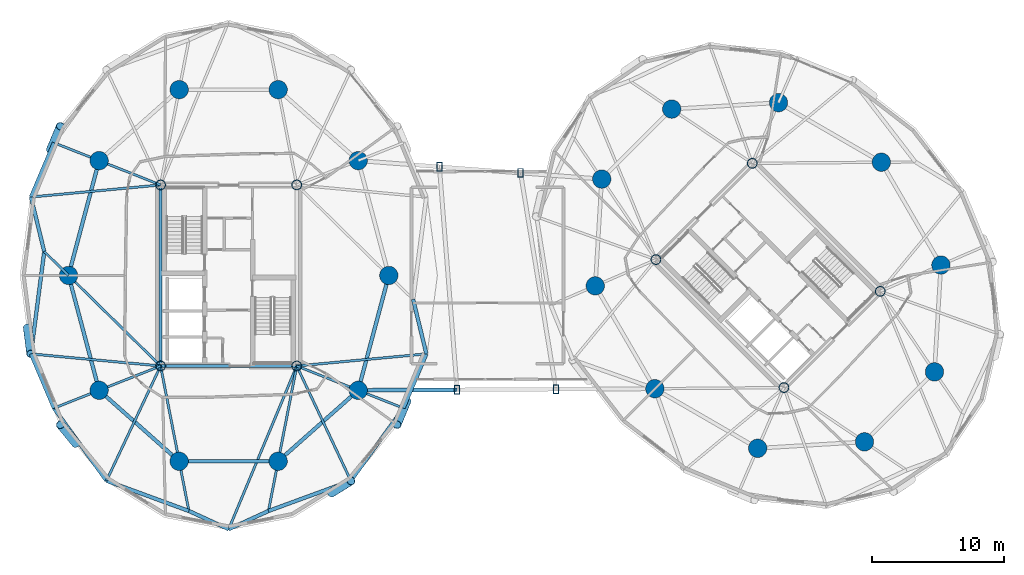
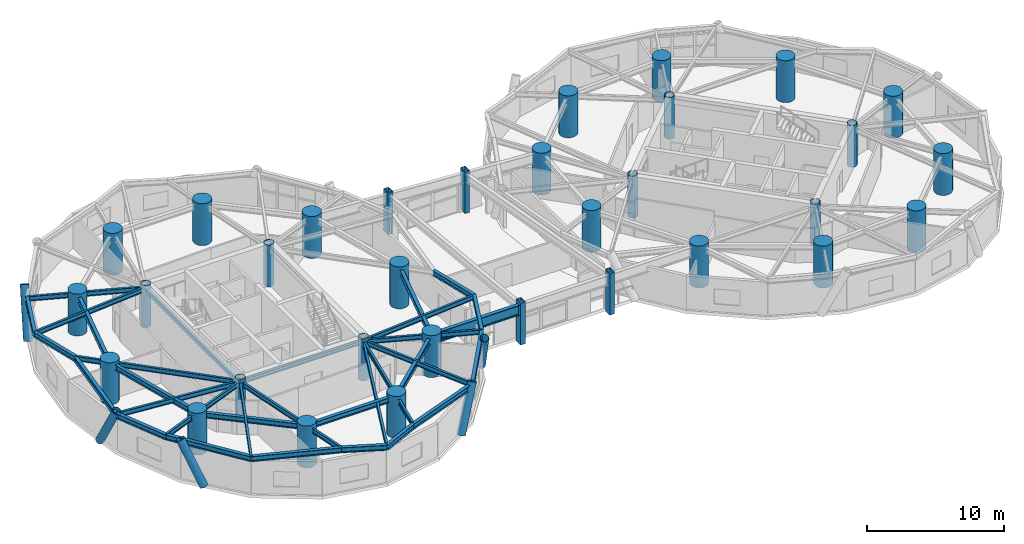
# One storey, part 1 of 19: 34 beams, 32 columns, 5 members.
"""IFC4 building model written with IfcOpenShell, lengths in metres."""

from ifc_helpers import new_model, si_unit, direction, frame, origin, origin_2d, place, context, subcontext, project, spatial, hollow_rectangle, circle, hollow_circle, i_section, extrude, material, material_profile, profile_set, type_object, element, save


model = new_model("IFC4")

# Units and contexts
model_context = context("Model", 3, precision=1e-05, world=origin(), true_north=direction((0.0, 1.0)))
body_context = subcontext(model_context, "Body", "Model", "MODEL_VIEW")
ifc_project = project(units=[si_unit("LENGTHUNIT", "METRE"), si_unit("AREAUNIT", "SQUARE_METRE"), si_unit("VOLUMEUNIT", "CUBIC_METRE"), si_unit("PLANEANGLEUNIT", "RADIAN"), si_unit("MASSUNIT", "GRAM", prefix="KILO")], contexts=[model_context])

# Site, building, storey
site_placement = place(None, origin())
site = spatial("IfcSite", under=ifc_project, at=site_placement, CompositionType="ELEMENT")
building_placement = place(site_placement, origin())
building = spatial("IfcBuilding", under=site, at=building_placement, Name="Cununo Teusaquillo Station Towers", CompositionType="ELEMENT")
storey_placement = place(building_placement, frame((0.0, 0.0, 136.60009765625)))
storey = spatial("IfcBuildingStorey", under=building, at=storey_placement, Name="L43", CompositionType="ELEMENT", Elevation=136.60009765625)

# Columns
ifc_material_1 = material(Name="Steel ASTM A572 Grade 50", Category="steel")
ifc_material_profile_1 = material_profile(ifc_material_1, hollow_rectangle(XDim=0.39990234375, YDim=0.64990234375, WallThickness=0.02490234375, at=origin_2d()), Name="RHS 650x400x25")
ifc_profile_set_1 = profile_set([ifc_material_profile_1], Name="Steel ASTM A572 Grade 50")
column_type_1 = type_object("IfcColumnType", Name="COL-BRG-POST", PredefinedType="COLUMN", material=ifc_profile_set_1)
for number, where, z_axis, x_axis, name in (
    (1, (33.862548828125, 15.81201171875, 0.0), (0.0, 0.0, 1.0), (1.0, 0.0, 0.0), "L43 Mid-Bridge Vierendeel Post S1"),
    (2, (41.377685546875, 15.8525390625, 0.0), (0.0, 0.0, 1.0), (1.0, 0.0, 0.0), "L43 Mid-Bridge Vierendeel Post S2"),
    (3, (32.51611328125, 32.761474609375, 0.0), (0.0, 0.0, 1.0), (1.0, 0.0, 0.0), "L43 Mid-Bridge Vierendeel Post N1"),
    (4, (38.684814453125, 32.294189453125, 0.0), (0.0, 0.0, 1.0), (1.0, 0.0, 0.0), "L43 Mid-Bridge Vierendeel Post N2"),
):
    element("IfcColumn", number, at=place(storey_placement, frame(where, z_axis=z_axis, x_axis=x_axis)), inside=storey, type_object=column_type_1, Name=name, PredefinedType="COLUMN", context=body_context, shape_type="SweptSolid", body=[
        extrude(hollow_rectangle(XDim=0.39990234375, YDim=0.64990234375, WallThickness=0.02490234375, at=origin_2d()), origin(), (0.0, 0.0, 1.0), 3.719970703125),
    ])
ifc_material_2 = material(Name="Steel EN 10025-2 S355J2", Category="steel")
ifc_material_profile_2 = material_profile(ifc_material_2, hollow_circle(Radius=0.3798828125, WallThickness=0.031982421875, at=origin_2d()), Name="CHS 760x32")
ifc_profile_set_2 = profile_set([ifc_material_profile_2], Name="Steel EN 10025-2 S355J2")
column_type_2 = type_object("IfcColumnType", Name="COL-CORE-Z2", PredefinedType="COLUMN", material=ifc_profile_set_2)
for number, where, z_axis, x_axis, name in (
    (5, (11.324951171875, 17.6201171875, 0.0), (0.0, 0.0, 1.0), (1.0, 0.0, 0.0), "L43 Tower A Core Column 1"),
    (6, (11.324951171875, 31.3798828125, 0.0), (0.0, 0.0, 1.0), (1.0, 0.0, 0.0), "L43 Tower A Core Column 2"),
    (7, (21.675048828125, 17.6201171875, 0.0), (0.0, 0.0, 1.0), (1.0, 0.0, 0.0), "L43 Tower A Core Column 3"),
    (8, (21.675048828125, 31.3798828125, 0.0), (0.0, 0.0, 1.0), (1.0, 0.0, 0.0), "L43 Tower A Core Column 4"),
    (9, (58.70556640625, 15.975830078125, 0.0), (0.0, 0.0, 1.0), (0.707106781187, 0.707106781187, 0.0), "L43 Tower B Core Column 1"),
    (10, (48.975830078125, 25.70556640625, 0.0), (0.0, 0.0, 1.0), (0.707106781187, 0.707106781187, 0.0), "L43 Tower B Core Column 2"),
    (11, (66.024169921875, 23.29443359375, 0.0), (0.0, 0.0, 1.0), (0.707106781187, 0.707106781187, 0.0), "L43 Tower B Core Column 3"),
    (12, (56.29443359375, 33.024169921875, 0.0), (0.0, 0.0, 1.0), (0.707106781187, 0.707106781187, 0.0), "L43 Tower B Core Column 4"),
):
    element("IfcColumn", number, at=place(storey_placement, frame(where, z_axis=z_axis, x_axis=x_axis)), inside=storey, type_object=column_type_2, Name=name, PredefinedType="COLUMN", context=body_context, shape_type="SweptSolid", body=[
        extrude(hollow_circle(Radius=0.3798828125, WallThickness=0.031982421875, at=origin_2d()), origin(), (0.0, 0.0, 1.0), 3.719970703125),
    ])
ifc_material_3 = material(Name="Concrete C60/75", Category="concrete")
ifc_material_profile_3 = material_profile(ifc_material_3, circle(Radius=0.699951171875, at=origin_2d()), Name="RC-CIRC-1400")
ifc_profile_set_3 = profile_set([ifc_material_profile_3], Name="Concrete C60/75")
column_type_3 = type_object("IfcColumnType", Name="COL-MEGA-Z2", PredefinedType="USERDEFINED", material=ifc_profile_set_3)
for number, where, z_axis, x_axis, name in (
    (13, (28.672119140625, 24.5, 0.0), (0.0, 0.0, 1.0), (1.0, 0.0, 0.0), "L43 Tower A Perimeter Column V00"),
    (14, (26.347412109375, 33.228515625, 0.0), (0.0, 0.0, 1.0), (1.0, 0.0, 0.0), "L43 Tower A Perimeter Column V02"),
    (15, (20.261474609375, 38.623291015625, 0.0), (0.0, 0.0, 1.0), (1.0, 0.0, 0.0), "L43 Tower A Perimeter Column V04"),
    (16, (12.738525390625, 38.623291015625, 0.0), (0.0, 0.0, 1.0), (1.0, 0.0, 0.0), "L43 Tower A Perimeter Column V06"),
    (17, (6.652587890625, 33.228515625, 0.0), (0.0, 0.0, 1.0), (1.0, 0.0, 0.0), "L43 Tower A Perimeter Column V08"),
    (18, (4.327880859375, 24.5, 0.0), (0.0, 0.0, 1.0), (1.0, 0.0, 0.0), "L43 Tower A Perimeter Column V10"),
    (19, (6.652587890625, 15.771484375, 0.0), (0.0, 0.0, 1.0), (1.0, 0.0, 0.0), "L43 Tower A Perimeter Column V12"),
    (20, (12.738525390625, 10.376708984375, 0.0), (0.0, 0.0, 1.0), (1.0, 0.0, 0.0), "L43 Tower A Perimeter Column V14"),
    (21, (20.261474609375, 10.376708984375, 0.0), (0.0, 0.0, 1.0), (1.0, 0.0, 0.0), "L43 Tower A Perimeter Column V16"),
    (22, (26.347412109375, 15.771484375, 0.0), (0.0, 0.0, 1.0), (1.0, 0.0, 0.0), "L43 Tower A Perimeter Column V18"),
    (23, (66.10693359375, 33.10693359375, 0.0), (0.0, 0.0, 1.0), (1.0, 0.0, 0.0), "L43 Tower B Perimeter Column V00"),
    (24, (58.291015625, 37.63525390625, 0.0), (0.0, 0.0, 1.0), (1.0, 0.0, 0.0), "L43 Tower B Perimeter Column V02"),
    (25, (50.173095703125, 37.146240234375, 0.0), (0.0, 0.0, 1.0), (1.0, 0.0, 0.0), "L43 Tower B Perimeter Column V04"),
    (26, (44.853759765625, 31.826904296875, 0.0), (0.0, 0.0, 1.0), (1.0, 0.0, 0.0), "L43 Tower B Perimeter Column V06"),
    (27, (44.36474609375, 23.708984375, 0.0), (0.0, 0.0, 1.0), (1.0, 0.0, 0.0), "L43 Tower B Perimeter Column V08"),
    (28, (48.89306640625, 15.89306640625, 0.0), (0.0, 0.0, 1.0), (1.0, 0.0, 0.0), "L43 Tower B Perimeter Column V10"),
    (29, (56.708984375, 11.36474609375, 0.0), (0.0, 0.0, 1.0), (1.0, 0.0, 0.0), "L43 Tower B Perimeter Column V12"),
    (30, (64.826904296875, 11.853759765625, 0.0), (0.0, 0.0, 1.0), (1.0, 0.0, 0.0), "L43 Tower B Perimeter Column V14"),
    (31, (70.146240234375, 17.173095703125, 0.0), (0.0, 0.0, 1.0), (1.0, 0.0, 0.0), "L43 Tower B Perimeter Column V16"),
    (32, (70.63525390625, 25.291015625, 0.0), (0.0, 0.0, 1.0), (1.0, 0.0, 0.0), "L43 Tower B Perimeter Column V18"),
):
    element("IfcColumn", number, at=place(storey_placement, frame(where, z_axis=z_axis, x_axis=x_axis)), inside=storey, type_object=column_type_3, Name=name, ObjectType="MEGA COLUMN", PredefinedType="USERDEFINED", context=body_context, shape_type="SweptSolid", body=[
        extrude(circle(Radius=0.699951171875, at=origin_2d()), origin(), (0.0, 0.0, 1.0), 3.719970703125),
    ])

# Beams
ifc_material_4 = material(Name="Steel EN 10025-2 S355J2", Category="steel")
ifc_material_profile_4 = material_profile(ifc_material_4, i_section(OverallWidth=0.300048828125, OverallDepth=0.89990234375, WebThickness=0.0185546875, FlangeThickness=0.034912109375, FilletRadius=0.027099609375, at=origin_2d()), Name="HEB 900")
ifc_profile_set_4 = profile_set([ifc_material_profile_4], Name="Steel EN 10025-2 S355J2")
beam_type_1 = type_object("IfcBeamType", Name="BM-BRG-CH2", PredefinedType="BEAM", material=ifc_profile_set_4)
beam_1_placement = place(storey_placement, frame((26.347412109375, 15.771484375, 2.989990234375), z_axis=(0.999985459376, 0.00539268359, 0.0), x_axis=(-0.00539268359, 0.999985459376, 0.0)))
element("IfcBeam", 33, at=beam_1_placement, inside=storey, type_object=beam_type_1, Name="L43 Mid-Bridge Chord S1", PredefinedType="BEAM", context=body_context, shape_type="SweptSolid", body=[
    extrude(i_section(OverallWidth=0.300048828125, OverallDepth=0.89990234375, WebThickness=0.0185546875, FlangeThickness=0.034912109375, FilletRadius=0.027099609375, at=origin_2d()), origin(), (0.0, 0.0, 1.0), 7.51513671875),
])
ifc_material_5 = material(Name="Steel EN 10025-2 S355J2", Category="steel")
ifc_material_profile_5 = material_profile(ifc_material_5, hollow_rectangle(XDim=0.25, YDim=0.449951171875, WallThickness=0.01611328125, at=origin_2d()), Name="RHS 450x250x16")
ifc_profile_set_5 = profile_set([ifc_material_profile_5], Name="Steel EN 10025-2 S355J2")
beam_type_2 = type_object("IfcBeamType", Name="BM-COUP-1", PredefinedType="USERDEFINED", material=ifc_profile_set_5)
beam_2_placement = place(storey_placement, frame((11.324951171875, 17.6201171875, 3.21484375), z_axis=(0.0, 1.0, 0.0), x_axis=(-1.0, 0.0, 0.0)))
element("IfcBeam", 34, at=beam_2_placement, inside=storey, type_object=beam_type_2, Name="L43 Tower A Core Beam 1", ObjectType="COUPLING BEAM", PredefinedType="USERDEFINED", context=body_context, shape_type="SweptSolid", body=[
    extrude(hollow_rectangle(XDim=0.25, YDim=0.449951171875, WallThickness=0.01611328125, at=origin_2d()), origin(), (0.0, 0.0, 1.0), 13.759765625),
])
ifc_material_6 = material(Name="Steel ASTM A572 Grade 50", Category="steel")
ifc_material_profile_6 = material_profile(ifc_material_6, i_section(OverallWidth=0.180908203125, OverallDepth=0.4169921875, WebThickness=0.010986328125, FlangeThickness=0.018310546875, FilletRadius=0.012939453125, at=origin_2d()), Name="W16X57")
ifc_profile_set_6 = profile_set([ifc_material_profile_6], Name="Steel ASTM A572 Grade 50")
beam_type_3 = type_object("IfcBeamType", Name="BM-JOIST-1", PredefinedType="JOIST", material=ifc_profile_set_6)
for number, where, z_axis, x_axis, name in (
    (35, (11.324951171875, 31.3798828125, 3.2314453125), (-0.995678537907, -0.09286683558, 0.0), (0.09286683558, -0.995678537907, 0.0), "L43 Tower A Radial Spandrel Joist V09"),
    (36, (11.324951171875, 17.6201171875, 3.2314453125), (-0.995678537907, 0.09286683558, 0.0), (-0.09286683558, -0.995678537907, 0.0), "L43 Tower A Radial Spandrel Joist V11"),
):
    element("IfcBeam", number, at=place(storey_placement, frame(where, z_axis=z_axis, x_axis=x_axis)), inside=storey, type_object=beam_type_3, Name=name, PredefinedType="JOIST", context=body_context, shape_type="SweptSolid", body=[
        extrude(i_section(OverallWidth=0.180908203125, OverallDepth=0.4169921875, WebThickness=0.010986328125, FlangeThickness=0.018310546875, FilletRadius=0.012939453125, at=origin_2d()), origin(), (0.0, 0.0, 1.0), 9.895263671875),
    ])
beam_3_placement = place(storey_placement, frame((11.324951171875, 17.6201171875, 3.2314453125), z_axis=(-0.426319838016, -0.904572493344, 0.0), x_axis=(0.904572493344, -0.426319838016, 0.0)))
element("IfcBeam", 37, at=beam_3_placement, inside=storey, type_object=beam_type_3, Name="L43 Tower A Radial Spandrel Joist V13", PredefinedType="JOIST", context=body_context, shape_type="SweptSolid", body=[
    extrude(i_section(OverallWidth=0.180908203125, OverallDepth=0.4169921875, WebThickness=0.010986328125, FlangeThickness=0.018310546875, FilletRadius=0.012939453125, at=origin_2d()), origin(), (0.0, 0.0, 1.0), 9.646728515625),
])
beam_4_placement = place(storey_placement, frame((21.675048828125, 17.6201171875, 3.2314453125), z_axis=(-0.38487837995, -0.922967297713, 0.0), x_axis=(0.922967297713, -0.38487837995, 0.0)))
element("IfcBeam", 38, at=beam_4_placement, inside=storey, type_object=beam_type_3, Name="L43 Tower A Radial Spandrel Joist V15", PredefinedType="JOIST", context=body_context, shape_type="SweptSolid", body=[
    extrude(i_section(OverallWidth=0.180908203125, OverallDepth=0.4169921875, WebThickness=0.010986328125, FlangeThickness=0.018310546875, FilletRadius=0.012939453125, at=origin_2d()), origin(), (0.0, 0.0, 1.0), 13.446044921875),
])
beam_5_placement = place(storey_placement, frame((21.675048828125, 17.6201171875, 3.2314453125), z_axis=(0.426319838016, -0.904572493344, 0.0), x_axis=(0.904572493344, 0.426319838016, 0.0)))
element("IfcBeam", 39, at=beam_5_placement, inside=storey, type_object=beam_type_3, Name="L43 Tower A Radial Spandrel Joist V17", PredefinedType="JOIST", context=body_context, shape_type="SweptSolid", body=[
    extrude(i_section(OverallWidth=0.180908203125, OverallDepth=0.4169921875, WebThickness=0.010986328125, FlangeThickness=0.018310546875, FilletRadius=0.012939453125, at=origin_2d()), origin(), (0.0, 0.0, 1.0), 9.646728515625),
])
beam_6_placement = place(storey_placement, frame((21.675048828125, 17.6201171875, 3.2314453125), z_axis=(0.995678537907, 0.09286683558, 0.0), x_axis=(-0.09286683558, 0.995678537907, 0.0)))
element("IfcBeam", 40, at=beam_6_placement, inside=storey, type_object=beam_type_3, Name="L43 Tower A Radial Spandrel Joist V19", PredefinedType="JOIST", context=body_context, shape_type="SweptSolid", body=[
    extrude(i_section(OverallWidth=0.180908203125, OverallDepth=0.4169921875, WebThickness=0.010986328125, FlangeThickness=0.018310546875, FilletRadius=0.012939453125, at=origin_2d()), origin(), (0.0, 0.0, 1.0), 9.895263671875),
])
ifc_material_7 = material(Name="Steel ASTM A572 Grade 50", Category="steel")
ifc_material_profile_7 = material_profile(ifc_material_7, i_section(OverallWidth=0.2041015625, OverallDepth=0.35009765625, WebThickness=0.008544921875, FlangeThickness=0.01513671875, FilletRadius=0.011962890625, at=origin_2d()), Name="W14X48")
ifc_profile_set_7 = profile_set([ifc_material_profile_7], Name="Steel ASTM A572 Grade 50")
beam_type_4 = type_object("IfcBeamType", Name="BM-LINTEL-1", PredefinedType="LINTEL", material=ifc_profile_set_7)
beam_7_placement = place(storey_placement, frame((11.324951171875, 17.6201171875, 3.264892578125), z_axis=(1.0, 0.0, 0.0), x_axis=(0.0, 1.0, 0.0)))
element("IfcBeam", 41, at=beam_7_placement, inside=storey, type_object=beam_type_4, Name="L43 Tower A Core Beam 3", PredefinedType="LINTEL", context=body_context, shape_type="SweptSolid", body=[
    extrude(i_section(OverallWidth=0.2041015625, OverallDepth=0.35009765625, WebThickness=0.008544921875, FlangeThickness=0.01513671875, FilletRadius=0.011962890625, at=origin_2d()), origin(), (0.0, 0.0, 1.0), 10.35009765625),
])
ifc_material_8 = material(Name="Steel ASTM A572 Grade 50", Category="steel")
ifc_material_profile_8 = material_profile(ifc_material_8, i_section(OverallWidth=0.180908203125, OverallDepth=0.4169921875, WebThickness=0.010986328125, FlangeThickness=0.018310546875, FilletRadius=0.012939453125, at=origin_2d()), Name="W16X57")
ifc_profile_set_8 = profile_set([ifc_material_profile_8], Name="Steel ASTM A572 Grade 50")
beam_type_5 = type_object("IfcBeamType", Name="BM-RAD-G2", PredefinedType="BEAM", material=ifc_profile_set_8)
beam_8_placement = place(storey_placement, frame((11.324951171875, 31.3798828125, 3.2314453125), z_axis=(-0.929863123823, 0.367905654963, 0.0), x_axis=(-0.367905654963, -0.929863123823, 0.0)))
element("IfcBeam", 42, at=beam_8_placement, inside=storey, type_object=beam_type_5, Name="L43 Tower A Continuous Overhanging Radial Girder 05", PredefinedType="BEAM", context=body_context, shape_type="SweptSolid", body=[
    extrude(i_section(OverallWidth=0.180908203125, OverallDepth=0.4169921875, WebThickness=0.010986328125, FlangeThickness=0.018310546875, FilletRadius=0.012939453125, at=origin_2d()), origin(), (0.0, 0.0, 1.0), 8.715087890625),
])
beam_9_placement = place(storey_placement, frame((11.324951171875, 17.6201171875, 3.2314453125), z_axis=(-0.713052701438, 0.701110437073, 0.0), x_axis=(-0.701110437073, -0.713052701438, 0.0)))
element("IfcBeam", 43, at=beam_9_placement, inside=storey, type_object=beam_type_5, Name="L43 Tower A Radial Girder 06A", PredefinedType="BEAM", context=body_context, shape_type="SweptSolid", body=[
    extrude(i_section(OverallWidth=0.180908203125, OverallDepth=0.4169921875, WebThickness=0.010986328125, FlangeThickness=0.018310546875, FilletRadius=0.012939453125, at=origin_2d()), origin(), (0.0, 0.0, 1.0), 9.812744140625),
])
beam_10_placement = place(storey_placement, frame((4.327880859375, 24.5, 3.2314453125), z_axis=(-0.7130260383, 0.701137553342, 0.0), x_axis=(-0.701137553342, -0.7130260383, 0.0)))
element("IfcBeam", 44, at=beam_10_placement, inside=storey, type_object=beam_type_5, Name="L43 Tower A Perimeter Overhang Girder 06B", PredefinedType="BEAM", context=body_context, shape_type="SweptSolid", body=[
    extrude(i_section(OverallWidth=0.180908203125, OverallDepth=0.4169921875, WebThickness=0.010986328125, FlangeThickness=0.018310546875, FilletRadius=0.012939453125, at=origin_2d()), origin(), (0.0, 0.0, 1.0), 2.58740234375),
])
beam_11_placement = place(storey_placement, frame((11.324951171875, 17.6201171875, 3.2314453125), z_axis=(-0.929863123823, -0.367905654963, 0.0), x_axis=(0.367905654963, -0.929863123823, 0.0)))
element("IfcBeam", 45, at=beam_11_placement, inside=storey, type_object=beam_type_5, Name="L43 Tower A Continuous Overhanging Radial Girder 07", PredefinedType="BEAM", context=body_context, shape_type="SweptSolid", body=[
    extrude(i_section(OverallWidth=0.180908203125, OverallDepth=0.4169921875, WebThickness=0.010986328125, FlangeThickness=0.018310546875, FilletRadius=0.012939453125, at=origin_2d()), origin(), (0.0, 0.0, 1.0), 8.715087890625),
])
for number, where, z_axis, x_axis, name in (
    (46, (11.324951171875, 17.6201171875, 3.2314453125), (0.191552755713, -0.981482318628, 0.0), (0.981482318628, 0.191552755713, 0.0), "L43 Tower A Continuous Overhanging Radial Girder 08"),
    (47, (21.675048828125, 17.6201171875, 3.2314453125), (-0.191552755713, -0.981482318628, 0.0), (0.981482318628, -0.191552755713, 0.0), "L43 Tower A Continuous Overhanging Radial Girder 09"),
):
    element("IfcBeam", number, at=place(storey_placement, frame(where, z_axis=z_axis, x_axis=x_axis)), inside=storey, type_object=beam_type_5, Name=name, PredefinedType="BEAM", context=body_context, shape_type="SweptSolid", body=[
        extrude(i_section(OverallWidth=0.180908203125, OverallDepth=0.4169921875, WebThickness=0.010986328125, FlangeThickness=0.018310546875, FilletRadius=0.012939453125, at=origin_2d()), origin(), (0.0, 0.0, 1.0), 11.22998046875),
    ])
beam_12_placement = place(storey_placement, frame((21.675048828125, 17.6201171875, 3.2314453125), z_axis=(0.929863123823, -0.367905654963, 0.0), x_axis=(0.367905654963, 0.929863123823, 0.0)))
element("IfcBeam", 48, at=beam_12_placement, inside=storey, type_object=beam_type_5, Name="L43 Tower A Continuous Overhanging Radial Girder 10", PredefinedType="BEAM", context=body_context, shape_type="SweptSolid", body=[
    extrude(i_section(OverallWidth=0.180908203125, OverallDepth=0.4169921875, WebThickness=0.010986328125, FlangeThickness=0.018310546875, FilletRadius=0.012939453125, at=origin_2d()), origin(), (0.0, 0.0, 1.0), 8.715087890625),
])
ifc_material_9 = material(Name="Steel ASTM A572 Grade 50", Category="steel")
ifc_material_profile_9 = material_profile(ifc_material_9, i_section(OverallWidth=0.280029296875, OverallDepth=0.462890625, WebThickness=0.0107421875, FlangeThickness=0.017333984375, FilletRadius=0.013916015625, at=origin_2d()), Name="W18X76")
ifc_profile_set_9 = profile_set([ifc_material_profile_9], Name="Steel ASTM A572 Grade 50")
beam_type_6 = type_object("IfcBeamType", Name="BM-RING-Z2", PredefinedType="SPANDREL", material=ifc_profile_set_9)
for number, where, z_axis, x_axis, name in (
    (49, (6.652587890625, 33.228515625, 3.20849609375), (-0.257363196347, -0.966314744359, 0.0), (0.966314744359, -0.257363196347, 0.0), "L43 Tower A Structural Column Ring Girder 05"),
    (50, (4.327880859375, 24.5, 3.20849609375), (0.257363196347, -0.966314744359, 0.0), (0.966314744359, 0.257363196347, 0.0), "L43 Tower A Structural Column Ring Girder 06"),
):
    element("IfcBeam", number, at=place(storey_placement, frame(where, z_axis=z_axis, x_axis=x_axis)), inside=storey, type_object=beam_type_6, Name=name, PredefinedType="SPANDREL", context=body_context, shape_type="SweptSolid", body=[
        extrude(i_section(OverallWidth=0.280029296875, OverallDepth=0.462890625, WebThickness=0.0107421875, FlangeThickness=0.017333984375, FilletRadius=0.013916015625, at=origin_2d()), origin(), (0.0, 0.0, 1.0), 9.03271484375),
    ])
beam_13_placement = place(storey_placement, frame((6.652587890625, 15.771484375, 3.20849609375), z_axis=(0.74832120039, -0.66333655187, 0.0), x_axis=(0.66333655187, 0.74832120039, 0.0)))
element("IfcBeam", 51, at=beam_13_placement, inside=storey, type_object=beam_type_6, Name="L43 Tower A Structural Column Ring Girder 07", PredefinedType="SPANDREL", context=body_context, shape_type="SweptSolid", body=[
    extrude(i_section(OverallWidth=0.280029296875, OverallDepth=0.462890625, WebThickness=0.0107421875, FlangeThickness=0.017333984375, FilletRadius=0.013916015625, at=origin_2d()), origin(), (0.0, 0.0, 1.0), 8.1328125),
])
beam_14_placement = place(storey_placement, frame((12.738525390625, 10.376708984375, 3.20849609375), z_axis=(1.0, 0.0, 0.0), x_axis=(0.0, 1.0, 0.0)))
element("IfcBeam", 52, at=beam_14_placement, inside=storey, type_object=beam_type_6, Name="L43 Tower A Structural Column Ring Girder 08", PredefinedType="SPANDREL", context=body_context, shape_type="SweptSolid", body=[
    extrude(i_section(OverallWidth=0.280029296875, OverallDepth=0.462890625, WebThickness=0.0107421875, FlangeThickness=0.017333984375, FilletRadius=0.013916015625, at=origin_2d()), origin(), (0.0, 0.0, 1.0), 7.52294921875),
])
beam_15_placement = place(storey_placement, frame((20.261474609375, 10.376708984375, 3.20849609375), z_axis=(0.74832120039, 0.66333655187, 0.0), x_axis=(-0.66333655187, 0.74832120039, 0.0)))
element("IfcBeam", 53, at=beam_15_placement, inside=storey, type_object=beam_type_6, Name="L43 Tower A Structural Column Ring Girder 09", PredefinedType="SPANDREL", context=body_context, shape_type="SweptSolid", body=[
    extrude(i_section(OverallWidth=0.280029296875, OverallDepth=0.462890625, WebThickness=0.0107421875, FlangeThickness=0.017333984375, FilletRadius=0.013916015625, at=origin_2d()), origin(), (0.0, 0.0, 1.0), 8.1328125),
])
beam_16_placement = place(storey_placement, frame((26.347412109375, 15.771484375, 3.20849609375), z_axis=(0.257363196347, 0.966314744359, 0.0), x_axis=(-0.966314744359, 0.257363196347, 0.0)))
element("IfcBeam", 54, at=beam_16_placement, inside=storey, type_object=beam_type_6, Name="L43 Tower A Structural Column Ring Girder 10", PredefinedType="SPANDREL", context=body_context, shape_type="SweptSolid", body=[
    extrude(i_section(OverallWidth=0.280029296875, OverallDepth=0.462890625, WebThickness=0.0107421875, FlangeThickness=0.017333984375, FilletRadius=0.013916015625, at=origin_2d()), origin(), (0.0, 0.0, 1.0), 9.03271484375),
])
beam_17_placement = place(storey_placement, frame((3.22119140625, 34.586181640625, 3.20849609375), z_axis=(-0.390299356049, -0.920688010494, 0.0), x_axis=(0.920688010494, -0.390299356049, 0.0)))
element("IfcBeam", 55, at=beam_17_placement, inside=storey, type_object=beam_type_6, Name="L43 Tower A Spandrel Ring Beam 09", PredefinedType="SPANDREL", context=body_context, shape_type="SweptSolid", body=[
    extrude(i_section(OverallWidth=0.280029296875, OverallDepth=0.462890625, WebThickness=0.0107421875, FlangeThickness=0.017333984375, FilletRadius=0.013916015625, at=origin_2d()), origin(), (0.0, 0.0, 1.0), 4.480712890625),
])
beam_18_placement = place(storey_placement, frame((1.472412109375, 30.4609375, 3.20849609375), z_axis=(0.236757334703, -0.971568816124, 0.0), x_axis=(0.971568816124, 0.236757334703, 0.0)))
element("IfcBeam", 56, at=beam_18_placement, inside=storey, type_object=beam_type_6, Name="L43 Tower A Spandrel Ring Beam 10", PredefinedType="SPANDREL", context=body_context, shape_type="SweptSolid", body=[
    extrude(i_section(OverallWidth=0.280029296875, OverallDepth=0.462890625, WebThickness=0.0107421875, FlangeThickness=0.017333984375, FilletRadius=0.013916015625, at=origin_2d()), origin(), (0.0, 0.0, 1.0), 4.26806640625),
])
beam_19_placement = place(storey_placement, frame((2.48291015625, 26.314208984375, 3.20849609375), z_axis=(-0.12888124113, -0.991660035337, 0.0), x_axis=(0.991660035337, -0.12888124113, 0.0)))
element("IfcBeam", 57, at=beam_19_placement, inside=storey, type_object=beam_type_6, Name="L43 Tower A Spandrel Ring Beam 11", PredefinedType="SPANDREL", context=body_context, shape_type="SweptSolid", body=[
    extrude(i_section(OverallWidth=0.280029296875, OverallDepth=0.462890625, WebThickness=0.0107421875, FlangeThickness=0.017333984375, FilletRadius=0.013916015625, at=origin_2d()), origin(), (0.0, 0.0, 1.0), 7.840576171875),
])
beam_20_placement = place(storey_placement, frame((1.472412109375, 18.5390625, 3.20849609375), z_axis=(0.390299356049, -0.920688010494, 0.0), x_axis=(0.920688010494, 0.390299356049, 0.0)))
element("IfcBeam", 58, at=beam_20_placement, inside=storey, type_object=beam_type_6, Name="L43 Tower A Spandrel Ring Beam 12", PredefinedType="SPANDREL", context=body_context, shape_type="SweptSolid", body=[
    extrude(i_section(OverallWidth=0.280029296875, OverallDepth=0.462890625, WebThickness=0.0107421875, FlangeThickness=0.017333984375, FilletRadius=0.013916015625, at=origin_2d()), origin(), (0.0, 0.0, 1.0), 4.480712890625),
])
beam_21_placement = place(storey_placement, frame((3.22119140625, 14.413818359375, 3.20849609375), z_axis=(0.58594455724, -0.810351143543, 0.0), x_axis=(0.810351143543, 0.58594455724, 0.0)))
element("IfcBeam", 59, at=beam_21_placement, inside=storey, type_object=beam_type_6, Name="L43 Tower A Spandrel Ring Beam 13", PredefinedType="SPANDREL", context=body_context, shape_type="SweptSolid", body=[
    extrude(i_section(OverallWidth=0.280029296875, OverallDepth=0.462890625, WebThickness=0.0107421875, FlangeThickness=0.017333984375, FilletRadius=0.013916015625, at=origin_2d()), origin(), (0.0, 0.0, 1.0), 6.8115234375),
])
beam_22_placement = place(storey_placement, frame((7.21240234375, 8.89404296875, 3.20849609375), z_axis=(0.938914161016, -0.34415141761, 0.0), x_axis=(0.34415141761, 0.938914161016, 0.0)))
element("IfcBeam", 60, at=beam_22_placement, inside=storey, type_object=beam_type_6, Name="L43 Tower A Spandrel Ring Beam 14", PredefinedType="SPANDREL", context=body_context, shape_type="SweptSolid", body=[
    extrude(i_section(OverallWidth=0.280029296875, OverallDepth=0.462890625, WebThickness=0.0107421875, FlangeThickness=0.017333984375, FilletRadius=0.013916015625, at=origin_2d()), origin(), (0.0, 0.0, 1.0), 6.671142578125),
])
for number, where, z_axis, x_axis, name in (
    (61, (13.47607421875, 6.59814453125, 3.20849609375), (0.908812215281, -0.417205413862, 0.0), (0.417205413862, 0.908812215281, 0.0), "L43 Tower A Spandrel Ring Beam 15"),
    (62, (16.5, 5.2099609375, 3.20849609375), (0.908812215281, 0.417205413862, 0.0), (-0.417205413862, 0.908812215281, 0.0), "L43 Tower A Spandrel Ring Beam 16"),
):
    element("IfcBeam", number, at=place(storey_placement, frame(where, z_axis=z_axis, x_axis=x_axis)), inside=storey, type_object=beam_type_6, Name=name, PredefinedType="SPANDREL", context=body_context, shape_type="SweptSolid", body=[
        extrude(i_section(OverallWidth=0.280029296875, OverallDepth=0.462890625, WebThickness=0.0107421875, FlangeThickness=0.017333984375, FilletRadius=0.013916015625, at=origin_2d()), origin(), (0.0, 0.0, 1.0), 3.327392578125),
    ])
beam_23_placement = place(storey_placement, frame((19.52392578125, 6.59814453125, 3.20849609375), z_axis=(0.938914161016, 0.34415141761, 0.0), x_axis=(-0.34415141761, 0.938914161016, 0.0)))
element("IfcBeam", 63, at=beam_23_placement, inside=storey, type_object=beam_type_6, Name="L43 Tower A Spandrel Ring Beam 17", PredefinedType="SPANDREL", context=body_context, shape_type="SweptSolid", body=[
    extrude(i_section(OverallWidth=0.280029296875, OverallDepth=0.462890625, WebThickness=0.0107421875, FlangeThickness=0.017333984375, FilletRadius=0.013916015625, at=origin_2d()), origin(), (0.0, 0.0, 1.0), 6.671142578125),
])
beam_24_placement = place(storey_placement, frame((25.78759765625, 8.89404296875, 3.20849609375), z_axis=(0.58594455724, 0.810351143543, 0.0), x_axis=(-0.810351143543, 0.58594455724, 0.0)))
element("IfcBeam", 64, at=beam_24_placement, inside=storey, type_object=beam_type_6, Name="L43 Tower A Spandrel Ring Beam 18", PredefinedType="SPANDREL", context=body_context, shape_type="SweptSolid", body=[
    extrude(i_section(OverallWidth=0.280029296875, OverallDepth=0.462890625, WebThickness=0.0107421875, FlangeThickness=0.017333984375, FilletRadius=0.013916015625, at=origin_2d()), origin(), (0.0, 0.0, 1.0), 6.8115234375),
])
beam_25_placement = place(storey_placement, frame((29.77880859375, 14.413818359375, 3.20849609375), z_axis=(0.390299356049, 0.920688010494, 0.0), x_axis=(-0.920688010494, 0.390299356049, 0.0)))
element("IfcBeam", 65, at=beam_25_placement, inside=storey, type_object=beam_type_6, Name="L43 Tower A Spandrel Ring Beam 19", PredefinedType="SPANDREL", context=body_context, shape_type="SweptSolid", body=[
    extrude(i_section(OverallWidth=0.280029296875, OverallDepth=0.462890625, WebThickness=0.0107421875, FlangeThickness=0.017333984375, FilletRadius=0.013916015625, at=origin_2d()), origin(), (0.0, 0.0, 1.0), 4.480712890625),
])
beam_26_placement = place(storey_placement, frame((31.527587890625, 18.5390625, 3.20849609375), z_axis=(-0.236757334703, 0.971568816124, 0.0), x_axis=(-0.971568816124, -0.236757334703, 0.0)))
element("IfcBeam", 66, at=beam_26_placement, inside=storey, type_object=beam_type_6, Name="L43 Tower A Spandrel Ring Beam 20", PredefinedType="SPANDREL", context=body_context, shape_type="SweptSolid", body=[
    extrude(i_section(OverallWidth=0.280029296875, OverallDepth=0.462890625, WebThickness=0.0107421875, FlangeThickness=0.017333984375, FilletRadius=0.013916015625, at=origin_2d()), origin(), (0.0, 0.0, 1.0), 4.26806640625),
])

# Members
ifc_material_10 = material(Name="Steel EN 10025-2 S355J2", Category="steel")
ifc_material_profile_10 = material_profile(ifc_material_10, hollow_circle(Radius=0.330078125, WallThickness=0.02490234375, at=origin_2d()), Name="CHS 660x25")
ifc_profile_set_10 = profile_set([ifc_material_profile_10], Name="Steel EN 10025-2 S355J2")
member_type = type_object("IfcMemberType", Name="MBR-DIAG-Z2", PredefinedType="BRACE", material=ifc_profile_set_10)
member_1_placement = place(storey_placement, frame((2.968505859375, 34.0458984375, -0.14013671875), z_axis=(0.17831061352, 0.427131003087, 0.886433545906), x_axis=(-0.922816406816, 0.385240028179, 0.0)))
element("IfcMember", 67, at=member_1_placement, inside=storey, type_object=member_type, Name="L43 Tower A Folded-Zigzag Diagrid Tube C08", PredefinedType="BRACE", context=body_context, shape_type="SweptSolid", body=[
    extrude(hollow_circle(Radius=0.330078125, WallThickness=0.02490234375, at=origin_2d()), origin(), (0.0, 0.0, 1.0), 4.196533203125),
])
member_2_placement = place(storey_placement, frame((1.214599609375, 20.526123046875, -0.14013671875), z_axis=(0.061016550395, -0.470278128471, 0.880406418911), x_axis=(0.991687829619, 0.128667200894, 0.0)))
element("IfcMember", 68, at=member_2_placement, inside=storey, type_object=member_type, Name="L43 Tower A Folded-Zigzag Diagrid Tube C10", PredefinedType="BRACE", context=body_context, shape_type="SweptSolid", body=[
    extrude(hollow_circle(Radius=0.330078125, WallThickness=0.02490234375, at=origin_2d()), origin(), (0.0, 0.0, 1.0), 4.225341796875),
])
member_3_placement = place(storey_placement, frame((4.8818359375, 11.739013671875, -0.14013671875), z_axis=(-0.280758307447, 0.342828721184, 0.896461511015), x_axis=(-0.773667352654, -0.633592003924, 0.0)))
element("IfcMember", 69, at=member_3_placement, inside=storey, type_object=member_type, Name="L43 Tower A Folded-Zigzag Diagrid Tube C12", PredefinedType="BRACE", context=body_context, shape_type="SweptSolid", body=[
    extrude(hollow_circle(Radius=0.330078125, WallThickness=0.02490234375, at=origin_2d()), origin(), (0.0, 0.0, 1.0), 4.149658203125),
])
member_4_placement = place(storey_placement, frame((24.3193359375, 7.980712890625, -0.14013671875), z_axis=(0.35791948, 0.222643294759, 0.906820604715), x_axis=(-0.528195574716, 0.849122744278, 0.0)))
element("IfcMember", 70, at=member_4_placement, inside=storey, type_object=member_type, Name="L43 Tower A Folded-Zigzag Diagrid Tube C16", PredefinedType="BRACE", context=body_context, shape_type="SweptSolid", body=[
    extrude(hollow_circle(Radius=0.330078125, WallThickness=0.02490234375, at=origin_2d()), origin(), (0.0, 0.0, 1.0), 4.102294921875),
])
member_5_placement = place(storey_placement, frame((30.031494140625, 14.9541015625, -0.14013671875), z_axis=(-0.17831061352, -0.427131003087, 0.886433545906), x_axis=(0.922816406816, -0.385240028179, 0.0)))
element("IfcMember", 71, at=member_5_placement, inside=storey, type_object=member_type, Name="L43 Tower A Folded-Zigzag Diagrid Tube C18", PredefinedType="BRACE", context=body_context, shape_type="SweptSolid", body=[
    extrude(hollow_circle(Radius=0.330078125, WallThickness=0.02490234375, at=origin_2d()), origin(), (0.0, 0.0, 1.0), 4.196533203125),
])

save(model, "model.ifc")
